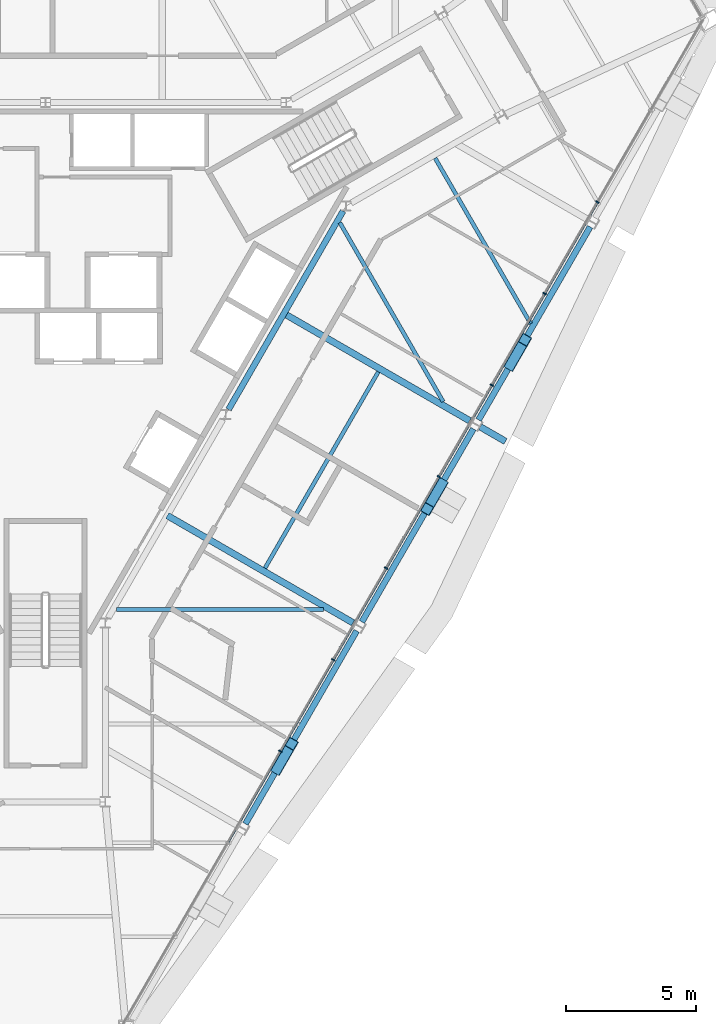
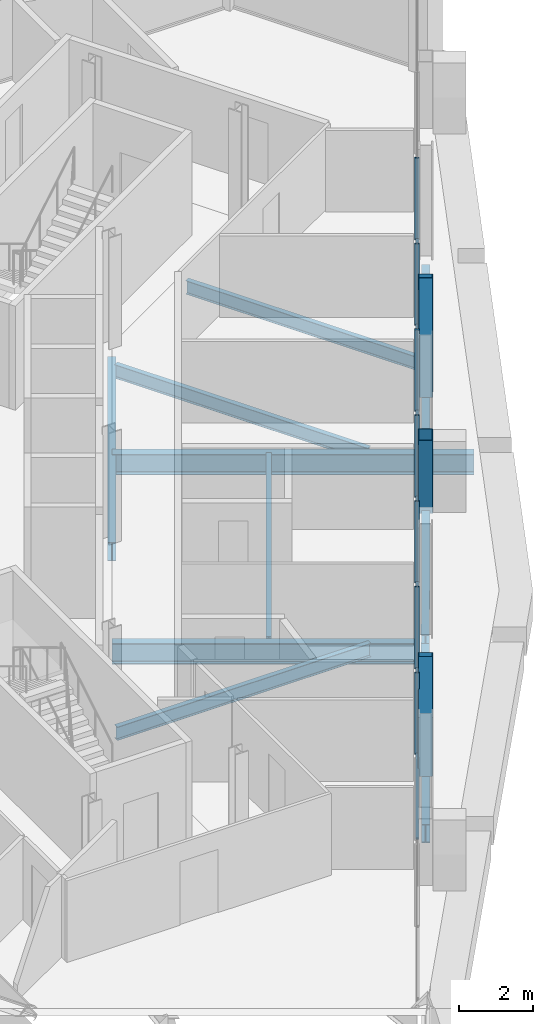
# One storey, part 6 of 16: 17 members, 11 beams, 1 element without a shape of its own.
"""IFC4 building model written with IfcOpenShell, lengths in metres."""

from ifc_helpers import new_model, si_unit, direction, frame, origin, origin_2d, place, context, subcontext, project, spatial, rectangle, hollow_rectangle, i_section, extrude, material, material_profile, profile_set, type_object, element, aggregate, save


model = new_model("IFC4")

# Units and contexts
model_context = context("Model", 3, precision=1e-05, world=origin(), true_north=direction((0.0, 1.0)))
body_context = subcontext(model_context, "Body", "Model", "MODEL_VIEW")
ifc_project = project(units=[si_unit("LENGTHUNIT", "METRE"), si_unit("AREAUNIT", "SQUARE_METRE"), si_unit("VOLUMEUNIT", "CUBIC_METRE"), si_unit("PLANEANGLEUNIT", "RADIAN"), si_unit("MASSUNIT", "GRAM", prefix="KILO")], contexts=[model_context])

# Site, building, storey
site_placement = place(None, origin())
site = spatial("IfcSite", under=ifc_project, at=site_placement, CompositionType="ELEMENT")
building_placement = place(site_placement, origin())
building = spatial("IfcBuilding", under=site, at=building_placement, Name="Verrane Prism Tower", CompositionType="ELEMENT")
storey_placement = place(building_placement, frame((0.0, 0.0, 239.699951171875)))
storey = spatial("IfcBuildingStorey", under=building, at=storey_placement, Name="L60", CompositionType="ELEMENT", Elevation=239.699951171875)

# Beam
ifc_material_1 = material(Name="Steel A992", Category="steel")
ifc_material_profile_1 = material_profile(ifc_material_1, i_section(OverallWidth=0.23046875, OverallDepth=0.6171875, WebThickness=0.01318359375, FlangeThickness=0.022216796875, FilletRadius=0.012939453125, at=origin_2d()), Name="W24x94")
ifc_profile_set_1 = profile_set([ifc_material_profile_1], Name="Steel A992")
beam_type_1 = type_object("IfcBeamType", Name="Core ring girder W24x94", PredefinedType="BEAM", material=ifc_profile_set_1)
beam_1_placement = place(storey_placement, frame((7.04150390625, -3.806884765625, -0.55859375), z_axis=(0.499967007444, 0.866044451208, 0.0), x_axis=(-0.866044451208, 0.499967007444, 0.0)))
element("IfcBeam", 1, at=beam_1_placement, inside=storey, type_object=beam_type_1, Name="Core ring girder L60", PredefinedType="BEAM", context=body_context, shape_type="SweptSolid", body=[
    extrude(i_section(OverallWidth=0.23046875, OverallDepth=0.6171875, WebThickness=0.01318359375, FlangeThickness=0.022216796875, FilletRadius=0.012939453125, at=origin_2d()), origin(), (0.0, 0.0, 1.0), 8.814453125),
])

# Members
ifc_material_2 = material(Name="Steel A500 Grade C", Category="steel")
ifc_material_profile_2 = material_profile(ifc_material_2, hollow_rectangle(XDim=0.406494140625, YDim=0.406494140625, WallThickness=0.01904296875, InnerFilletRadius=0.009521484375, OuterFilletRadius=0.028564453125, at=origin_2d()), Name="HSS16x16x3/4")
ifc_profile_set_2 = profile_set([ifc_material_profile_2], Name="Steel A500 Grade C")
member_type_1 = type_object("IfcMemberType", Name="Facade brace HSS16x16x3/4", PredefinedType="BRACE", material=ifc_profile_set_2)
member_1_placement = place(storey_placement, frame((8.91357421875, -17.62451171875, -0.216552734375), z_axis=(0.163420276173, 0.283531291876, 0.94493588135), x_axis=(-0.866391147706, 0.499365977191, 0.0)))
element("IfcMember", 2, at=member_1_placement, inside=storey, type_object=member_type_1, Name="Facade brace SE1 L60", PredefinedType="BRACE", context=body_context, shape_type="SweptSolid", body=[
    extrude(hollow_rectangle(XDim=0.406494140625, YDim=0.406494140625, WallThickness=0.01904296875, InnerFilletRadius=0.009521484375, OuterFilletRadius=0.028564453125, at=origin_2d()), origin(), (0.0, 0.0, 1.0), 3.38232421875),
])
for number, where, z_axis, x_axis, name in (
    (3, (15.2333984375, -6.675537109375, -0.216552734375), (-0.163771517036, -0.28351455219, 0.944880092342), (0.865913875866, -0.500193122286, 0.0), "Facade brace SE2 L60"),
    (4, (17.886474609375, -2.08447265625, -0.216552734375), (0.16384175774, 0.283511200178, 0.944868920959), (-0.865818389913, 0.500358387246, 0.0), "Facade brace SE3 L60"),
):
    element("IfcMember", number, at=place(storey_placement, frame(where, z_axis=z_axis, x_axis=x_axis)), inside=storey, type_object=member_type_1, Name=name, PredefinedType="BRACE", context=body_context, shape_type="SweptSolid", body=[
        extrude(hollow_rectangle(XDim=0.406494140625, YDim=0.406494140625, WallThickness=0.01904296875, InnerFilletRadius=0.009521484375, OuterFilletRadius=0.028564453125, at=origin_2d()), origin(), (0.0, 0.0, 1.0), 3.382568359375),
    ])

# Beams
ifc_material_3 = material(Name="Steel A992", Category="steel")
ifc_material_profile_3 = material_profile(ifc_material_3, i_section(OverallWidth=0.15234375, OverallDepth=0.449462890625, WebThickness=0.007568359375, FlangeThickness=0.0107421875, FilletRadius=0.01025390625, at=origin_2d()), Name="W18x35")
ifc_profile_set_3 = profile_set([ifc_material_profile_3], Name="Steel A992")
beam_type_2 = type_object("IfcBeamType", Name="Floor beam W18x35", PredefinedType="BEAM", material=ifc_profile_set_3)
beam_2_placement = place(storey_placement, frame((2.733642578125, -11.5, -0.384765625), z_axis=(1.0, 0.0, 0.0), x_axis=(0.0, 1.0, 0.0)))
element("IfcBeam", 5, at=beam_2_placement, inside=storey, type_object=beam_type_2, Name="Floor beam L60", PredefinedType="BEAM", context=body_context, shape_type="SweptSolid", body=[
    extrude(i_section(OverallWidth=0.15234375, OverallDepth=0.449462890625, WebThickness=0.007568359375, FlangeThickness=0.0107421875, FilletRadius=0.01025390625, at=origin_2d()), origin(), (0.0, 0.0, 1.0), 7.956298828125),
])
beam_3_placement = place(storey_placement, frame((8.442626953125, -9.90966796875, -0.384765625), z_axis=(0.500012552615, 0.866018156408, 0.0), x_axis=(-0.866018156408, 0.500012552615, 0.0)))
element("IfcBeam", 6, at=beam_3_placement, inside=storey, type_object=beam_type_2, Name="Floor beam L60", PredefinedType="BEAM", context=body_context, shape_type="SweptSolid", body=[
    extrude(i_section(OverallWidth=0.15234375, OverallDepth=0.449462890625, WebThickness=0.007568359375, FlangeThickness=0.0107421875, FilletRadius=0.01025390625, at=origin_2d()), origin(), (0.0, 0.0, 1.0), 8.717529296875),
])
beam_4_placement = place(storey_placement, frame((18.664794921875, -0.5078125, -0.384765625), z_axis=(-0.499983921128, 0.866034686726, 0.0), x_axis=(-0.866034686726, -0.499983921128, 0.0)))
element("IfcBeam", 7, at=beam_4_placement, inside=storey, type_object=beam_type_2, Name="Floor beam L60", PredefinedType="BEAM", context=body_context, shape_type="SweptSolid", body=[
    extrude(i_section(OverallWidth=0.15234375, OverallDepth=0.449462890625, WebThickness=0.007568359375, FlangeThickness=0.0107421875, FilletRadius=0.01025390625, at=origin_2d()), origin(), (0.0, 0.0, 1.0), 7.355224609375),
])
beam_5_placement = place(storey_placement, frame((15.298583984375, -3.506103515625, -0.384765625), z_axis=(-0.500009511199, 0.866019912421, 0.0), x_axis=(-0.866019912421, -0.500009511199, 0.0)))
element("IfcBeam", 8, at=beam_5_placement, inside=storey, type_object=beam_type_2, Name="Floor beam L60", PredefinedType="BEAM", context=body_context, shape_type="SweptSolid", body=[
    extrude(i_section(OverallWidth=0.15234375, OverallDepth=0.449462890625, WebThickness=0.007568359375, FlangeThickness=0.0107421875, FilletRadius=0.01025390625, at=origin_2d()), origin(), (0.0, 0.0, 1.0), 7.950927734375),
])

# Curtain wall, members
ifc_material_4 = material(Name="Aluminium framed insulated glazing", Category="aluminium")
curtain_wall_type = type_object("IfcCurtainWallType", Name="Curtain wall CW-C 4200 module", PredefinedType="NOTDEFINED", material=ifc_material_4)
curtain_wall_placement = place(storey_placement, origin())
curtain_wall = element("IfcCurtainWall", 9, at=curtain_wall_placement, inside=storey, type_object=curtain_wall_type, Name="Glazed curtain wall south-east face L60", PredefinedType="NOTDEFINED")
ifc_material_5 = material(Name="Aluminium alloy 6063-T6", Category="aluminium")
ifc_material_profile_4 = material_profile(ifc_material_5, rectangle(XDim=0.139892578125, YDim=0.050048828125, at=origin_2d()), Name="Mullion 50x140 aluminium")
ifc_profile_set_4 = profile_set([ifc_material_profile_4], Name="Aluminium alloy 6063-T6")
member_type_2 = type_object("IfcMemberType", Name="Mullion 50x140 aluminium", PredefinedType="MULLION", material=ifc_profile_set_4)
member_2_placement = place(storey_placement, frame((9.035888671875, -16.952880859375, 0.0), z_axis=(0.0, 0.0, 1.0), x_axis=(-0.866025759098, 0.499999384578, 0.0)))
member_2 = element("IfcMember", 10, at=member_2_placement, type_object=member_type_2, Name="CW59.6 mullion 4", PredefinedType="MULLION", context=body_context, shape_type="SweptSolid", body=[
    extrude(rectangle(XDim=0.139892578125, YDim=0.050048828125, at=origin_2d()), origin(), (0.0, 0.0, 1.0), 2.712890625),
])
member_3_placement = place(storey_placement, frame((11.068603515625, -13.43212890625, 0.0), z_axis=(0.0, 0.0, 1.0), x_axis=(-0.866025759098, 0.499999384578, 0.0)))
member_3 = element("IfcMember", 11, at=member_3_placement, type_object=member_type_2, Name="CW59.6 mullion 5", PredefinedType="MULLION", context=body_context, shape_type="SweptSolid", body=[
    extrude(rectangle(XDim=0.139892578125, YDim=0.050048828125, at=origin_2d()), origin(), (0.0, 0.0, 1.0), 2.712890625),
])
member_4_placement = place(storey_placement, frame((13.101318359375, -9.911376953125, 0.0), z_axis=(0.0, 0.0, 1.0), x_axis=(-0.866025759098, 0.499999384578, 0.0)))
member_4 = element("IfcMember", 12, at=member_4_placement, type_object=member_type_2, Name="CW59.6 mullion 6", PredefinedType="MULLION", context=body_context, shape_type="SweptSolid", body=[
    extrude(rectangle(XDim=0.139892578125, YDim=0.050048828125, at=origin_2d()), origin(), (0.0, 0.0, 1.0), 2.712890625),
])
member_5_placement = place(storey_placement, frame((15.134033203125, -6.390625, 0.0), z_axis=(0.0, 0.0, 1.0), x_axis=(-0.866025759098, 0.499999384578, 0.0)))
member_5 = element("IfcMember", 13, at=member_5_placement, type_object=member_type_2, Name="CW59.6 mullion 7", PredefinedType="MULLION", context=body_context, shape_type="SweptSolid", body=[
    extrude(rectangle(XDim=0.139892578125, YDim=0.050048828125, at=origin_2d()), origin(), (0.0, 0.0, 1.0), 2.712890625),
])
member_6_placement = place(storey_placement, frame((17.166748046875, -2.869873046875, 0.0), z_axis=(0.0, 0.0, 1.0), x_axis=(-0.866025759098, 0.499999384578, 0.0)))
member_6 = element("IfcMember", 14, at=member_6_placement, type_object=member_type_2, Name="CW59.6 mullion 8", PredefinedType="MULLION", context=body_context, shape_type="SweptSolid", body=[
    extrude(rectangle(XDim=0.139892578125, YDim=0.050048828125, at=origin_2d()), origin(), (0.0, 0.0, 1.0), 2.712890625),
])
member_7_placement = place(storey_placement, frame((19.199462890625, 0.65087890625, 0.0), z_axis=(0.0, 0.0, 1.0), x_axis=(-0.866025759098, 0.499999384578, 0.0)))
member_7 = element("IfcMember", 15, at=member_7_placement, type_object=member_type_2, Name="CW59.6 mullion 9", PredefinedType="MULLION", context=body_context, shape_type="SweptSolid", body=[
    extrude(rectangle(XDim=0.139892578125, YDim=0.050048828125, at=origin_2d()), origin(), (0.0, 0.0, 1.0), 2.712890625),
])
member_8_placement = place(storey_placement, frame((21.232177734375, 4.171630859375, 0.0), z_axis=(0.0, 0.0, 1.0), x_axis=(-0.866025759098, 0.499999384578, 0.0)))
member_8 = element("IfcMember", 16, at=member_8_placement, type_object=member_type_2, Name="CW59.6 mullion 10", PredefinedType="MULLION", context=body_context, shape_type="SweptSolid", body=[
    extrude(rectangle(XDim=0.139892578125, YDim=0.050048828125, at=origin_2d()), origin(), (0.0, 0.0, 1.0), 2.712890625),
])

# Beams
ifc_material_6 = material(Name="Steel A992", Category="steel")
ifc_material_profile_5 = material_profile(ifc_material_6, i_section(OverallWidth=0.25390625, OverallDepth=0.683349609375, WebThickness=0.012451171875, FlangeThickness=0.01904296875, FilletRadius=0.01513671875, at=origin_2d()), Name="W27x94")
ifc_profile_set_5 = profile_set([ifc_material_profile_5], Name="Steel A992")
beam_type_3 = type_object("IfcBeamType", Name="Radial girder W27x94", PredefinedType="BEAM", material=ifc_profile_set_5)
beam_6_placement = place(storey_placement, frame((11.90283203125, -12.053466796875, -0.5615234375), z_axis=(-0.866031416415, 0.499989585674, 0.0), x_axis=(-0.499989585674, -0.866031416415, 0.0)))
element("IfcBeam", 17, at=beam_6_placement, inside=storey, type_object=beam_type_3, Name="Radial girder L60", PredefinedType="BEAM", context=body_context, shape_type="SweptSolid", body=[
    extrude(i_section(OverallWidth=0.25390625, OverallDepth=0.683349609375, WebThickness=0.012451171875, FlangeThickness=0.01904296875, FilletRadius=0.01513671875, at=origin_2d()), origin(), (0.0, 0.0, 1.0), 8.333251953125),
])
beam_7_placement = place(storey_placement, frame((16.392822265625, -4.283447265625, -0.5615234375), z_axis=(-0.866025143971, 0.50000045001, 0.0), x_axis=(-0.50000045001, -0.866025143971, 0.0)))
element("IfcBeam", 18, at=beam_7_placement, inside=storey, type_object=beam_type_3, Name="Radial girder L60", PredefinedType="BEAM", context=body_context, shape_type="SweptSolid", body=[
    extrude(i_section(OverallWidth=0.25390625, OverallDepth=0.683349609375, WebThickness=0.012451171875, FlangeThickness=0.01904296875, FilletRadius=0.01513671875, at=origin_2d()), origin(), (0.0, 0.0, 1.0), 8.3369140625),
])
beam_8_placement = place(storey_placement, frame((16.7236328125, -4.474609375, -0.5615234375), z_axis=(0.86606220186, -0.499936258447, 0.0), x_axis=(0.499936258447, 0.86606220186, 0.0)))
element("IfcBeam", 19, at=beam_8_placement, inside=storey, type_object=beam_type_3, Name="Cantilever girder L60", PredefinedType="BEAM", context=body_context, shape_type="SweptSolid", body=[
    extrude(i_section(OverallWidth=0.25390625, OverallDepth=0.683349609375, WebThickness=0.012451171875, FlangeThickness=0.01904296875, FilletRadius=0.01513671875, at=origin_2d()), origin(), (0.0, 0.0, 1.0), 1.120361328125),
])
ifc_material_7 = material(Name="Steel A992", Category="steel")
ifc_material_profile_6 = material_profile(ifc_material_7, i_section(OverallWidth=0.23046875, OverallDepth=0.6171875, WebThickness=0.01318359375, FlangeThickness=0.022216796875, FilletRadius=0.012939453125, at=origin_2d()), Name="W24x94")
ifc_profile_set_6 = profile_set([ifc_material_profile_6], Name="Steel A992")
beam_type_4 = type_object("IfcBeamType", Name="Spandrel beam W24x94", PredefinedType="SPANDREL", material=ifc_profile_set_6)
beam_9_placement = place(storey_placement, frame((7.689697265625, -19.747314453125, -0.468505859375), z_axis=(0.499491441068, 0.866318821393, 0.0), x_axis=(-0.866318821393, 0.499491441068, 0.0)))
element("IfcBeam", 20, at=beam_9_placement, inside=storey, type_object=beam_type_4, Name="Spandrel beam L60", PredefinedType="SPANDREL", context=body_context, shape_type="SweptSolid", body=[
    extrude(i_section(OverallWidth=0.23046875, OverallDepth=0.6171875, WebThickness=0.01318359375, FlangeThickness=0.022216796875, FilletRadius=0.012939453125, at=origin_2d()), origin(), (0.0, 0.0, 1.0), 8.5703125),
])
for number, where, z_axis, x_axis, name in (
    (21, (12.169921875, -11.977294921875, -0.468505859375), (0.500312223767, 0.86584506625, 0.0), (-0.86584506625, 0.500312223767, 0.0), "Spandrel beam L60"),
    (22, (16.659912109375, -4.20751953125, -0.468505859375), (0.500312223767, 0.86584506625, 0.0), (-0.86584506625, 0.500312223767, 0.0), "Spandrel beam L60"),
):
    element("IfcBeam", number, at=place(storey_placement, frame(where, z_axis=z_axis, x_axis=x_axis)), inside=storey, type_object=beam_type_4, Name=name, PredefinedType="SPANDREL", context=body_context, shape_type="SweptSolid", body=[
        extrude(i_section(OverallWidth=0.23046875, OverallDepth=0.6171875, WebThickness=0.01318359375, FlangeThickness=0.022216796875, FilletRadius=0.012939453125, at=origin_2d()), origin(), (0.0, 0.0, 1.0), 8.5751953125),
    ])

# Member
ifc_material_8 = material(Name="Aluminium alloy 6063-T6", Category="aluminium")
ifc_material_profile_7 = material_profile(ifc_material_8, rectangle(XDim=0.10009765625, YDim=0.050048828125, at=origin_2d()), Name="Transom 50x100 aluminium")
ifc_profile_set_7 = profile_set([ifc_material_profile_7], Name="Aluminium alloy 6063-T6")
member_type_3 = type_object("IfcMemberType", Name="Transom 50x100 aluminium", PredefinedType="USERDEFINED", material=ifc_profile_set_7)
member_9_placement = place(storey_placement, frame((7.015869140625, -20.451904296875, 0.025146484375), z_axis=(0.499964557259, 0.866045865693, 0.0), x_axis=(-0.866045865693, 0.499964557259, 0.0)))
member_9 = element("IfcMember", 23, at=member_9_placement, type_object=member_type_3, Name="CW59.6 transom 3", ObjectType="TRANSOM", PredefinedType="USERDEFINED", context=body_context, shape_type="SweptSolid", body=[
    extrude(rectangle(XDim=0.10009765625, YDim=0.050048828125, at=origin_2d()), origin(), (0.0, 0.0, 1.0), 4.015380859375),
])

member_10_placement = place(storey_placement, frame((9.048583984375, -16.93115234375, 0.025146484375), z_axis=(0.499964557259, 0.866045865693, 0.0), x_axis=(-0.866045865693, 0.499964557259, 0.0)))
member_10 = element("IfcMember", 24, at=member_10_placement, type_object=member_type_3, Name="CW59.6 transom 4", ObjectType="TRANSOM", PredefinedType="USERDEFINED", context=body_context, shape_type="SweptSolid", body=[
    extrude(rectangle(XDim=0.10009765625, YDim=0.050048828125, at=origin_2d()), origin(), (0.0, 0.0, 1.0), 4.015380859375),
])

member_11_placement = place(storey_placement, frame((11.081298828125, -13.410400390625, 0.025146484375), z_axis=(0.499964557259, 0.866045865693, 0.0), x_axis=(-0.866045865693, 0.499964557259, 0.0)))
member_11 = element("IfcMember", 25, at=member_11_placement, type_object=member_type_3, Name="CW59.6 transom 5", ObjectType="TRANSOM", PredefinedType="USERDEFINED", context=body_context, shape_type="SweptSolid", body=[
    extrude(rectangle(XDim=0.10009765625, YDim=0.050048828125, at=origin_2d()), origin(), (0.0, 0.0, 1.0), 4.015380859375),
])

member_12_placement = place(storey_placement, frame((13.114013671875, -9.8896484375, 0.025146484375), z_axis=(0.499964557259, 0.866045865693, 0.0), x_axis=(-0.866045865693, 0.499964557259, 0.0)))
member_12 = element("IfcMember", 26, at=member_12_placement, type_object=member_type_3, Name="CW59.6 transom 6", ObjectType="TRANSOM", PredefinedType="USERDEFINED", context=body_context, shape_type="SweptSolid", body=[
    extrude(rectangle(XDim=0.10009765625, YDim=0.050048828125, at=origin_2d()), origin(), (0.0, 0.0, 1.0), 4.015380859375),
])

member_13_placement = place(storey_placement, frame((15.146484375, -6.368896484375, 0.025146484375), z_axis=(0.500010157896, 0.866019539041, 0.0), x_axis=(-0.866019539041, 0.500010157896, 0.0)))
member_13 = element("IfcMember", 27, at=member_13_placement, type_object=member_type_3, Name="CW59.6 transom 7", ObjectType="TRANSOM", PredefinedType="USERDEFINED", context=body_context, shape_type="SweptSolid", body=[
    extrude(rectangle(XDim=0.10009765625, YDim=0.050048828125, at=origin_2d()), origin(), (0.0, 0.0, 1.0), 4.015625),
])

member_14_placement = place(storey_placement, frame((17.17919921875, -2.84814453125, 0.025146484375), z_axis=(0.500010157896, 0.866019539041, 0.0), x_axis=(-0.866019539041, 0.500010157896, 0.0)))
member_14 = element("IfcMember", 28, at=member_14_placement, type_object=member_type_3, Name="CW59.6 transom 8", ObjectType="TRANSOM", PredefinedType="USERDEFINED", context=body_context, shape_type="SweptSolid", body=[
    extrude(rectangle(XDim=0.10009765625, YDim=0.050048828125, at=origin_2d()), origin(), (0.0, 0.0, 1.0), 4.015625),
])

member_15_placement = place(storey_placement, frame((19.2119140625, 0.672607421875, 0.025146484375), z_axis=(0.500010157896, 0.866019539041, 0.0), x_axis=(-0.866019539041, 0.500010157896, 0.0)))
member_15 = element("IfcMember", 29, at=member_15_placement, type_object=member_type_3, Name="CW59.6 transom 9", ObjectType="TRANSOM", PredefinedType="USERDEFINED", context=body_context, shape_type="SweptSolid", body=[
    extrude(rectangle(XDim=0.10009765625, YDim=0.050048828125, at=origin_2d()), origin(), (0.0, 0.0, 1.0), 4.015625),
])

aggregate(curtain_wall, [member_2, member_3, member_4, member_5, member_6, member_7, member_8, member_9, member_10, member_11, member_12, member_13, member_14, member_15])

save(model, "model.ifc")
